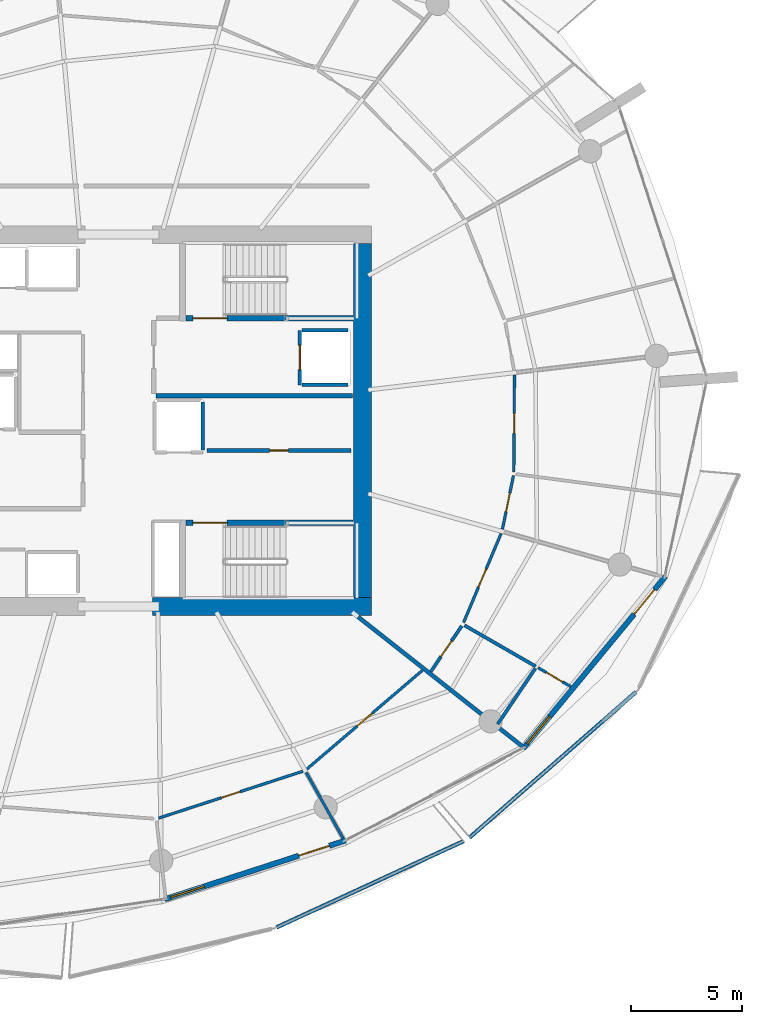
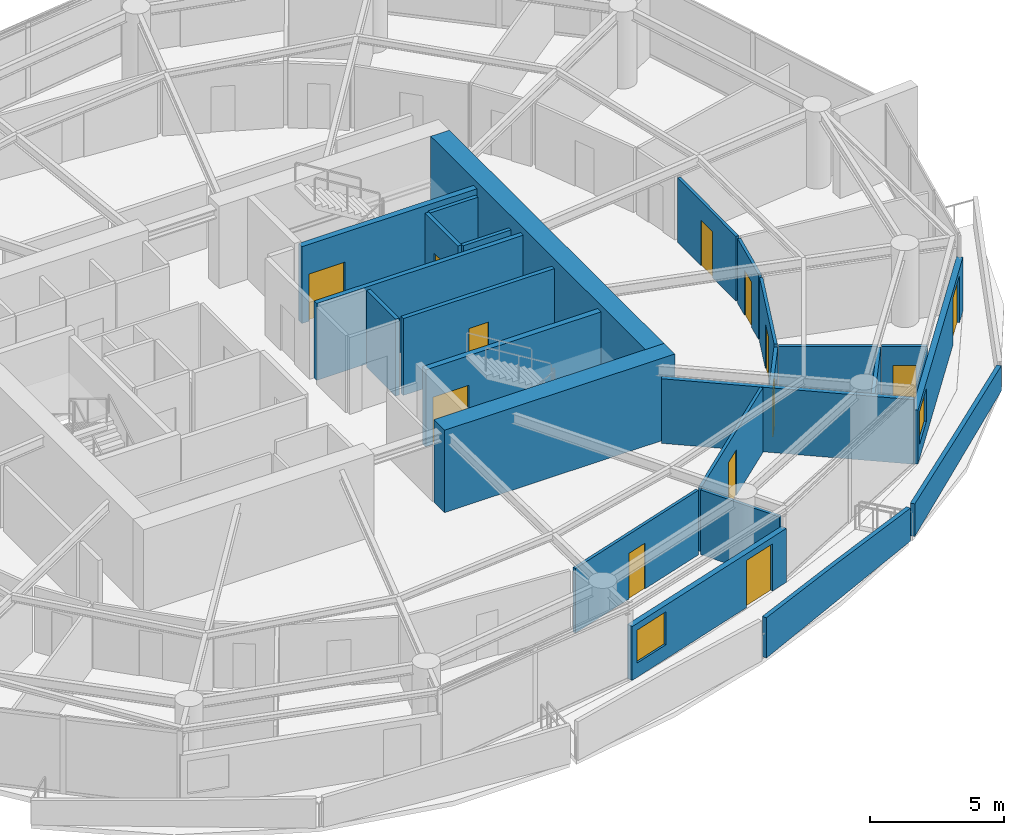
# One storey, part 13 of 20: 25 walls, 13 doors, 2 windows, 15 openings.
"""IFC4 building model written with IfcOpenShell, lengths in metres."""

from ifc_helpers import new_model, si_unit, direction, frame, frame_2d, origin, place, context, subcontext, project, spatial, polyline, rectangle, outline, extrude, material, layer, layer_set, type_object, element, fill, save


model = new_model("IFC4")

# Units and contexts
model_context = context("Model", 3, precision=1e-05, world=origin(), true_north=direction((0.0, 1.0)))
body_context = subcontext(model_context, "Body", "Model", "MODEL_VIEW")
ifc_project = project(units=[si_unit("LENGTHUNIT", "METRE"), si_unit("AREAUNIT", "SQUARE_METRE"), si_unit("VOLUMEUNIT", "CUBIC_METRE"), si_unit("PLANEANGLEUNIT", "RADIAN"), si_unit("MASSUNIT", "GRAM", prefix="KILO")], contexts=[model_context])

# Site, building, storey
site_placement = place(None, origin())
site = spatial("IfcSite", under=ifc_project, at=site_placement, CompositionType="ELEMENT")
building_placement = place(site_placement, origin())
building = spatial("IfcBuilding", under=site, at=building_placement, Name="Kazma Halo Residences", CompositionType="ELEMENT")
storey_placement = place(building_placement, frame((0.0, 0.0, 139.050048828125)))
storey = spatial("IfcBuildingStorey", under=building, at=storey_placement, Name="L34", CompositionType="ELEMENT", Elevation=139.050048828125)

# Walls
ifc_material_1 = material(Name="White Concrete C50/60 Balustrade", Category="concrete")
ifc_layer_1 = layer(ifc_material_1, 0.179931640625)
ifc_layer_set_1 = layer_set([ifc_layer_1], Name="White Concrete C50/60 Balustrade")
wall_type_1 = type_object("IfcWallType", Name="WL-BAL-WAVE-180", PredefinedType="PARAPET", material=ifc_layer_set_1)
wall_1_placement = place(storey_placement, frame((55.56494140625, 19.103271484375, 0.0), z_axis=(0.0, 0.0, 1.0), x_axis=(0.908087442579, 0.418780606799, 0.0)))
element("IfcWall", 1, at=wall_1_placement, inside=storey, type_object=wall_type_1, Name="L34 white wave balustrade wall SSE.2", PredefinedType="PARAPET", context=body_context, shape_type="SweptSolid", body=[
    extrude(outline(polyline([(0.0, 0.0), (9.3154296875, 0.0), (9.3154296875, 1.4970703125), (4.65771484375, 1.696044921875), (0.0, 1.83203125), (0.0, 0.0)])), frame((0.0, 0.08984375, 0.0), z_axis=(0.0, -1.0, 0.0), x_axis=(1.0, 0.0, 0.0)), (0.0, 0.0, 1.0), 0.179931640625),
])
wall_2_placement = place(storey_placement, frame((64.28759765625, 23.1640625, 0.0), z_axis=(0.0, 0.0, 1.0), x_axis=(0.752617556845, 0.658457905358, 0.0)))
element("IfcWall", 2, at=wall_2_placement, inside=storey, type_object=wall_type_1, Name="L34 white wave balustrade wall SE.1", PredefinedType="PARAPET", context=body_context, shape_type="SweptSolid", body=[
    extrude(outline(polyline([(0.0, 0.0), (9.99267578125, 0.0), (9.992919921875, 1.14794921875), (4.99658203125, 1.283935546875), (0.0, 1.48291015625), (0.0, 0.0)])), frame((0.0, 0.08984375, 0.0), z_axis=(0.0, -1.0, 0.0), x_axis=(1.0, 0.0, 0.0)), (0.0, 0.0, 1.0), 0.179931640625),
])
ifc_material_2 = material(Name="Concrete C80/95", Category="concrete")
ifc_layer_2 = layer(ifc_material_2, 0.800048828125)
ifc_layer_set_2 = layer_set([ifc_layer_2], Name="Concrete C80/95")
wall_type_2 = type_object("IfcWallType", Name="WL-CORE-800", PredefinedType="SHEAR", material=ifc_layer_set_2)
wall_3_placement = place(storey_placement, frame((49.949951171875, 33.60009765625, 0.0), z_axis=(0.0, 0.0, 1.0), x_axis=(1.0, 0.0, 0.0)))
element("IfcWall", 3, at=wall_3_placement, inside=storey, type_object=wall_type_2, Name="L34 central core shear wall SE", PredefinedType="SHEAR", context=body_context, shape_type="SweptSolid", body=[
    extrude(rectangle(XDim=9.900146484375, YDim=0.800048828125, at=frame_2d((4.9501953125, 0.0))), origin(), (0.0, 0.0, 1.0), 3.75),
])
wall_4_placement = place(storey_placement, frame((59.449951171875, 34.0, 0.0), z_axis=(0.0, 0.0, 1.0), x_axis=(0.0, 1.0, 0.0)))
element("IfcWall", 4, at=wall_4_placement, inside=storey, type_object=wall_type_2, Name="L34 central core shear wall E", PredefinedType="SHEAR", context=body_context, shape_type="SweptSolid", body=[
    extrude(rectangle(XDim=16.0, YDim=0.800048828125, at=frame_2d((8.0, 0.0))), origin(), (0.0, 0.0, 1.0), 3.75),
])
ifc_material_3 = material(Name="Acoustic Twin-Stud Gypsum")
ifc_layer_3 = layer(ifc_material_3, 0.179931640625)
ifc_layer_set_3 = layer_set([ifc_layer_3], Name="Acoustic Twin-Stud Gypsum")
wall_type_3 = type_object("IfcWallType", Name="WL-DEM-180", PredefinedType="PARTITIONING", material=ifc_layer_set_3)
wall_5_placement = place(storey_placement, frame((59.2490234375, 33.1318359375, 0.0), z_axis=(0.0, 0.0, 1.0), x_axis=(0.785334414621, -0.619071770647, 0.0)))
element("IfcWall", 5, at=wall_5_placement, inside=storey, type_object=wall_type_3, Name="L34 apartment demising radial wall 13", PredefinedType="PARTITIONING", context=body_context, shape_type="SweptSolid", body=[
    extrude(rectangle(XDim=9.51513671875, YDim=0.179931640625, at=frame_2d((4.757568359375, 0.0))), origin(), (0.0, 0.0, 1.0), 2.93994140625),
])

# Wall, openings, door, window
ifc_material_4 = material(Name="Insulated Pale-Metal Composite Wall")
ifc_layer_4 = layer(ifc_material_4, 0.239990234375)
ifc_layer_set_4 = layer_set([ifc_layer_4], Name="Insulated Pale-Metal Composite Wall")
wall_type_4 = type_object("IfcWallType", Name="WL-EXT-HOST-240", PredefinedType="SOLIDWALL", material=ifc_layer_set_4)
wall_6_placement = place(storey_placement, frame((50.510009765625, 20.375732421875, 0.0), z_axis=(0.0, 0.0, 1.0), x_axis=(0.951046390632, 0.309048156224, 0.0)))
wall_6 = element("IfcWall", 6, at=wall_6_placement, inside=storey, type_object=wall_type_4, Name="L34 exterior terrace-access wall B12", PredefinedType="SOLIDWALL", context=body_context, shape_type="SweptSolid", body=[
    extrude(rectangle(XDim=8.590087890625, YDim=0.239990234375, at=frame_2d((4.294921875, 0.0))), origin(), (0.0, 0.0, 1.0), 2.449951171875),
])
opening_1_placement = place(wall_6_placement, frame((6.370361328125, 0.0, 0.0)))
opening_1 = element("IfcOpeningElement", 7, at=opening_1_placement, cuts=wall_6, Name="Opening DTR-1600", PredefinedType="OPENING", context=body_context, shape_type="SweptSolid", body=[
    extrude(rectangle(XDim=1.449951171875, YDim=2.14990234375, at=frame_2d((0.72509765625, 1.074951171875))), frame((0.0, 0.1298828125, 0.0), z_axis=(0.0, -1.0, 0.0), x_axis=(1.0, 0.0, 0.0)), (0.0, 0.0, 1.0), 0.260009765625),
])
opening_2_placement = place(wall_6_placement, frame((0.280029296875, 0.0, 0.64990234375)))
opening_2 = element("IfcOpeningElement", 8, at=opening_2_placement, cuts=wall_6, Name="Opening W-1800", PredefinedType="OPENING", context=body_context, shape_type="SweptSolid", body=[
    extrude(rectangle(XDim=1.60009765625, YDim=1.5, at=frame_2d((0.800048828125, 0.75))), frame((0.0, 0.1298828125, 0.0), z_axis=(0.0, -1.0, 0.0), x_axis=(1.0, 0.0, 0.0)), (0.0, 0.0, 1.0), 0.260009765625),
])
ifc_material_5 = material(Name="Aluminium AW-6063 T6 Double-Glazed Terrace Door", Category="aluminium")
door_type_1 = type_object("IfcDoorType", Name="DR-EXT-TERR-1600", OperationType="NOTDEFINED", PredefinedType="DOOR", material=ifc_material_5)
door_1_placement = place(opening_1_placement, origin())
door_1 = element("IfcDoor", 9, at=door_1_placement, inside=storey, type_object=door_type_1, Name="L34 B12 balcony terrace door", OperationType="DOUBLE_DOOR_SLIDING", OverallHeight=2.14990234375, OverallWidth=1.449951171875, PredefinedType="DOOR", context=body_context, shape_type="SweptSolid", body=[
    extrude(rectangle(XDim=1.449951171875, YDim=2.14990234375, at=frame_2d((0.72509765625, 1.074951171875))), frame((0.0, 0.02490234375, 0.0), z_axis=(0.0, -1.0, 0.0), x_axis=(1.0, 0.0, 0.0)), (0.0, 0.0, 1.0), 0.050048828125),
])
fill(opening_1, door_1)
ifc_material_6 = material(Name="Clear Triple-Silver Low-E Glass in Aluminium AW-6063 T6 Frame", Category="aluminium")
window_type = type_object("IfcWindowType", Name="WIN-RES-1800", PartitioningType="DOUBLE_PANEL_VERTICAL", PredefinedType="WINDOW", material=ifc_material_6)
window_1_placement = place(opening_2_placement, origin())
window_1 = element("IfcWindow", 10, at=window_1_placement, inside=storey, type_object=window_type, Name="L34 B12 apartment window", OverallHeight=1.5, OverallWidth=1.60009765625, PartitioningType="SINGLE_PANEL", PredefinedType="WINDOW", context=body_context, shape_type="SweptSolid", body=[
    extrude(rectangle(XDim=1.60009765625, YDim=1.5, at=frame_2d((0.800048828125, 0.75))), frame((0.0, 0.030029296875, 0.0), z_axis=(0.0, -1.0, 0.0), x_axis=(1.0, 0.0, 0.0)), (0.0, 0.0, 1.0), 0.06005859375),
])
fill(opening_2, window_1)

wall_7_placement = place(storey_placement, frame((66.70947265625, 27.18701171875, 0.0), z_axis=(0.0, 0.0, 1.0), x_axis=(0.636771922292, 0.77105221547, 0.0)))
wall_7 = element("IfcWall", 11, at=wall_7_placement, inside=storey, type_object=wall_type_4, Name="L34 exterior terrace-access wall B14", PredefinedType="SOLIDWALL", context=body_context, shape_type="SweptSolid", body=[
    extrude(rectangle(XDim=10.08154296875, YDim=0.239990234375, at=frame_2d((5.040771484375, 0.0))), origin(), (0.0, 0.0, 1.0), 2.449951171875),
])
opening_3_placement = place(wall_7_placement, frame((7.861572265625, 0.0, 0.0)))
opening_3 = element("IfcOpeningElement", 12, at=opening_3_placement, cuts=wall_7, Name="Opening DTR-1600", PredefinedType="OPENING", context=body_context, shape_type="SweptSolid", body=[
    extrude(rectangle(XDim=1.449951171875, YDim=2.14990234375, at=frame_2d((0.72509765625, 1.074951171875))), frame((0.0, 0.1298828125, 0.0), z_axis=(0.0, -1.0, 0.0), x_axis=(1.0, 0.0, 0.0)), (0.0, 0.0, 1.0), 0.260009765625),
])
opening_4_placement = place(wall_7_placement, frame((0.280029296875, 0.0, 0.64990234375)))
opening_4 = element("IfcOpeningElement", 13, at=opening_4_placement, cuts=wall_7, Name="Opening W-1800", PredefinedType="OPENING", context=body_context, shape_type="SweptSolid", body=[
    extrude(rectangle(XDim=1.60009765625, YDim=1.5, at=frame_2d((0.800048828125, 0.75))), frame((0.0, 0.1298828125, 0.0), z_axis=(0.0, -1.0, 0.0), x_axis=(1.0, 0.0, 0.0)), (0.0, 0.0, 1.0), 0.260009765625),
])
door_2_placement = place(opening_3_placement, origin())
door_2 = element("IfcDoor", 14, at=door_2_placement, inside=storey, type_object=door_type_1, Name="L34 B14 balcony terrace door", OperationType="DOUBLE_DOOR_SLIDING", OverallHeight=2.14990234375, OverallWidth=1.449951171875, PredefinedType="DOOR", context=body_context, shape_type="SweptSolid", body=[
    extrude(rectangle(XDim=1.449951171875, YDim=2.14990234375, at=frame_2d((0.72509765625, 1.074951171875))), frame((0.0, 0.02490234375, 0.0), z_axis=(0.0, -1.0, 0.0), x_axis=(1.0, 0.0, 0.0)), (0.0, 0.0, 1.0), 0.050048828125),
])
fill(opening_3, door_2)
window_2_placement = place(opening_4_placement, origin())
window_2 = element("IfcWindow", 15, at=window_2_placement, inside=storey, type_object=window_type, Name="L34 B14 apartment window", OverallHeight=1.5, OverallWidth=1.60009765625, PartitioningType="SINGLE_PANEL", PredefinedType="WINDOW", context=body_context, shape_type="SweptSolid", body=[
    extrude(rectangle(XDim=1.60009765625, YDim=1.5, at=frame_2d((0.800048828125, 0.75))), frame((0.0, 0.030029296875, 0.0), z_axis=(0.0, -1.0, 0.0), x_axis=(1.0, 0.0, 0.0)), (0.0, 0.0, 1.0), 0.06005859375),
])
fill(opening_4, window_2)

# Wall, opening, door
ifc_material_7 = material(Name="Fire-Rated Blockwork Masonry", Category="masonry")
ifc_layer_5 = layer(ifc_material_7, 0.199951171875)
ifc_layer_set_5 = layer_set([ifc_layer_5], Name="Fire-Rated Blockwork Masonry")
wall_type_5 = type_object("IfcWallType", Name="WL-FLB-200", PredefinedType="PARTITIONING", material=ifc_layer_set_5)
wall_8_placement = place(storey_placement, frame((56.6201171875, 46.080078125, 0.0), z_axis=(0.0, 0.0, 1.0), x_axis=(0.0, -1.0, 0.0)))
wall_8 = element("IfcWall", 16, at=wall_8_placement, inside=storey, type_object=wall_type_5, Name="L34 lift shaft FL-02 front wall", PredefinedType="PARTITIONING", context=body_context, shape_type="SweptSolid", body=[
    extrude(rectangle(XDim=2.4599609375, YDim=0.159912109375, at=frame_2d((1.22998046875, 0.0))), origin(), (0.0, 0.0, 1.0), 3.5),
])
opening_5_placement = place(wall_8_placement, frame((0.679931640625, 0.0, 0.0)))
opening_5 = element("IfcOpeningElement", 17, at=opening_5_placement, cuts=wall_8, Name="Opening LD-FL-02", PredefinedType="OPENING", context=body_context, shape_type="SweptSolid", body=[
    extrude(rectangle(XDim=1.10009765625, YDim=2.10009765625, at=frame_2d((0.550048828125, 1.050048828125))), frame((0.0, 0.08984375, 0.0), z_axis=(0.0, -1.0, 0.0), x_axis=(1.0, 0.0, 0.0)), (0.0, 0.0, 1.0), 0.179931640625),
])
ifc_material_8 = material(Name="Stainless Steel Fire-Rated", Category="steel")
door_type_2 = type_object("IfcDoorType", Name="DR-LIFT-SLD-1100", OperationType="DOUBLE_DOOR_SLIDING", PredefinedType="DOOR", material=ifc_material_8)
door_3_placement = place(opening_5_placement, origin())
door_3 = element("IfcDoor", 18, at=door_3_placement, inside=storey, type_object=door_type_2, Name="L34 lift FL-02 sliding landing door", OperationType="DOUBLE_DOOR_SLIDING", OverallHeight=2.10009765625, OverallWidth=1.10009765625, PredefinedType="DOOR", context=body_context, shape_type="SweptSolid", body=[
    extrude(rectangle(XDim=1.10009765625, YDim=2.10009765625, at=frame_2d((0.550048828125, 1.050048828125))), frame((0.0, 0.02490234375, 0.0), z_axis=(0.0, -1.0, 0.0), x_axis=(1.0, 0.0, 0.0)), (0.0, 0.0, 1.0), 0.050048828125),
])
fill(opening_5, door_3)

# Walls
for number, where, z_axis, x_axis, name in (
    (19, (56.719970703125, 46.080078125, 0.0), (0.0, 0.0, 1.0), (1.0, 0.0, 0.0), "L34 lift shaft FL-02 side wall N"),
    (20, (56.719970703125, 43.6201171875, 0.0), (0.0, 0.0, 1.0), (1.0, 0.0, 0.0), "L34 lift shaft FL-02 side wall S"),
):
    element("IfcWall", number, at=place(storey_placement, frame(where, z_axis=z_axis, x_axis=x_axis)), inside=storey, type_object=wall_type_5, Name=name, PredefinedType="PARTITIONING", context=body_context, shape_type="SweptSolid", body=[
        extrude(rectangle(XDim=2.06005859375, YDim=0.159912109375, at=frame_2d((1.030029296875, 0.0))), origin(), (0.0, 0.0, 1.0), 3.5),
    ])
wall_9_placement = place(storey_placement, frame((52.22998046875, 40.669921875, 0.0), z_axis=(0.0, 0.0, 1.0), x_axis=(0.0, 1.0, 0.0)))
element("IfcWall", 21, at=wall_9_placement, inside=storey, type_object=wall_type_5, Name="L34 lift shaft SV-01 side wall E", PredefinedType="PARTITIONING", context=body_context, shape_type="SweptSolid", body=[
    extrude(rectangle(XDim=2.16015625, YDim=0.159912109375, at=frame_2d((1.080078125, 0.0))), origin(), (0.0, 0.0, 1.0), 3.5),
])

# Wall, opening, door
wall_10_placement = place(storey_placement, frame((52.419921875, 40.64990234375, 0.0), z_axis=(0.0, 0.0, 1.0), x_axis=(1.0, 0.0, 0.0)))
wall_10 = element("IfcWall", 22, at=wall_10_placement, inside=storey, type_object=wall_type_5, Name="L34 core east reserve wall", PredefinedType="PARTITIONING", context=body_context, shape_type="SweptSolid", body=[
    extrude(rectangle(XDim=6.5, YDim=0.179931640625, at=frame_2d((3.25, 0.0))), origin(), (0.0, 0.0, 1.0), 3.5),
])
opening_6_placement = place(wall_10_placement, frame((2.824951171875, 0.0, 0.0)))
opening_6 = element("IfcOpeningElement", 23, at=opening_6_placement, cuts=wall_10, Name="Opening DS-850", PredefinedType="OPENING", context=body_context, shape_type="SweptSolid", body=[
    extrude(rectangle(XDim=0.85009765625, YDim=2.06005859375, at=frame_2d((0.425048828125, 1.030029296875))), frame((0.0, 0.099853515625, 0.0), z_axis=(0.0, -1.0, 0.0), x_axis=(1.0, 0.0, 0.0)), (0.0, 0.0, 1.0), 0.199951171875),
])
ifc_material_9 = material(Name="Painted Steel Access Leaf", Category="steel")
door_type_3 = type_object("IfcDoorType", Name="DR-SVC-850", OperationType="NOTDEFINED", PredefinedType="DOOR", material=ifc_material_9)
door_4_placement = place(opening_6_placement, origin())
door_4 = element("IfcDoor", 24, at=door_4_placement, inside=storey, type_object=door_type_3, Name="L34 core east reserve door", OperationType="SINGLE_SWING_LEFT", OverallHeight=2.06005859375, OverallWidth=0.85009765625, PredefinedType="DOOR", context=body_context, shape_type="SweptSolid", body=[
    extrude(rectangle(XDim=0.85009765625, YDim=2.06005859375, at=frame_2d((0.425048828125, 1.030029296875))), frame((0.0, 0.02490234375, 0.0), z_axis=(0.0, -1.0, 0.0), x_axis=(1.0, 0.0, 0.0)), (0.0, 0.0, 1.0), 0.050048828125),
])
fill(opening_6, door_4)

# Wall
wall_11_placement = place(storey_placement, frame((50.1201171875, 43.1201171875, 0.0), z_axis=(0.0, 0.0, 1.0), x_axis=(1.0, 0.0, 0.0)))
element("IfcWall", 25, at=wall_11_placement, inside=storey, type_object=wall_type_5, Name="L34 east firefighting lobby south smoke wall", PredefinedType="PARTITIONING", context=body_context, shape_type="SweptSolid", body=[
    extrude(rectangle(XDim=8.8798828125, YDim=0.199951171875, at=frame_2d((4.43994140625, 0.0))), origin(), (0.0, 0.0, 1.0), 3.5),
])

# Wall, opening, door
ifc_material_10 = material(Name="Gypsum Plasterboard Partition")
ifc_layer_6 = layer(ifc_material_10, 0.125)
ifc_layer_set_6 = layer_set([ifc_layer_6], Name="Gypsum Plasterboard Partition")
wall_type_6 = type_object("IfcWallType", Name="WL-PART-125", PredefinedType="PARTITIONING", material=ifc_layer_set_6)
wall_12_placement = place(storey_placement, frame((50.234375, 24.04052734375, 0.0), z_axis=(0.0, 0.0, 1.0), x_axis=(0.951054759124, 0.309022402339, 0.0)))
wall_12 = element("IfcWall", 26, at=wall_12_placement, inside=storey, type_object=wall_type_6, Name="L34 Apartment 1 Corner Formal Dining Room gallery wall", PredefinedType="PARTITIONING", context=body_context, shape_type="SweptSolid", body=[
    extrude(rectangle(XDim=6.849609375, YDim=0.125, at=frame_2d((3.4248046875, 0.0))), origin(), (0.0, 0.0, 1.0), 2.93994140625),
])
opening_7_placement = place(wall_12_placement, frame((2.974853515625, 0.0, 0.0)))
opening_7 = element("IfcOpeningElement", 27, at=opening_7_placement, cuts=wall_12, Name="Opening DI-950", PredefinedType="OPENING", context=body_context, shape_type="SweptSolid", body=[
    extrude(rectangle(XDim=0.89990234375, YDim=2.080078125, at=frame_2d((0.449951171875, 1.0400390625))), frame((0.0, 0.072509765625, 0.0), z_axis=(0.0, -1.0, 0.0), x_axis=(1.0, 0.0, 0.0)), (0.0, 0.0, 1.0), 0.14501953125),
])
ifc_material_11 = material(Name="Timber Veneer Flush Leaf", Category="wood")
door_type_4 = type_object("IfcDoorType", Name="DR-INT-950", OperationType="NOTDEFINED", PredefinedType="DOOR", material=ifc_material_11)
door_5_placement = place(opening_7_placement, origin())
door_5 = element("IfcDoor", 28, at=door_5_placement, inside=storey, type_object=door_type_4, Name="L34 Apartment 1 Corner Formal Dining Room door", OperationType="SINGLE_SWING_RIGHT", OverallHeight=2.080078125, OverallWidth=0.89990234375, PredefinedType="DOOR", context=body_context, shape_type="SweptSolid", body=[
    extrude(rectangle(XDim=0.89990234375, YDim=2.080078125, at=frame_2d((0.449951171875, 1.0400390625))), frame((0.0, 0.02490234375, 0.0), z_axis=(0.0, -1.0, 0.0), x_axis=(1.0, 0.0, 0.0)), (0.0, 0.0, 1.0), 0.050048828125),
])
fill(opening_7, door_5)

# Wall
wall_13_placement = place(storey_placement, frame((56.902099609375, 26.10400390625, 0.0), z_axis=(0.0, 0.0, 1.0), x_axis=(0.48863819443, -0.872486512758, 0.0)))
element("IfcWall", 29, at=wall_13_placement, inside=storey, type_object=wall_type_6, Name="L34 Apartment 1 radial partition 12", PredefinedType="PARTITIONING", context=body_context, shape_type="SweptSolid", body=[
    extrude(rectangle(XDim=3.41552734375, YDim=0.125, at=frame_2d((1.707763671875, 0.0))), origin(), (0.0, 0.0, 1.0), 2.93994140625),
])

# Wall, opening, door
wall_14_placement = place(storey_placement, frame((56.93701171875, 26.2626953125, 0.0), z_axis=(0.0, 0.0, 1.0), x_axis=(0.760405214762, 0.649448927448, 0.0)))
wall_14 = element("IfcWall", 30, at=wall_14_placement, inside=storey, type_object=wall_type_6, Name="L34 Apartment 1 Garden Master Bedroom gallery wall", PredefinedType="PARTITIONING", context=body_context, shape_type="SweptSolid", body=[
    extrude(rectangle(XDim=6.849609375, YDim=0.125, at=frame_2d((3.4248046875, 0.0))), origin(), (0.0, 0.0, 1.0), 2.93994140625),
])
opening_8_placement = place(wall_14_placement, frame((2.974853515625, 0.0, 0.0)))
opening_8 = element("IfcOpeningElement", 31, at=opening_8_placement, cuts=wall_14, Name="Opening DI-950", PredefinedType="OPENING", context=body_context, shape_type="SweptSolid", body=[
    extrude(rectangle(XDim=0.89990234375, YDim=2.080078125, at=frame_2d((0.449951171875, 1.0400390625))), frame((0.0, 0.072509765625, 0.0), z_axis=(0.0, -1.0, 0.0), x_axis=(1.0, 0.0, 0.0)), (0.0, 0.0, 1.0), 0.14501953125),
])
door_6_placement = place(opening_8_placement, origin())
door_6 = element("IfcDoor", 32, at=door_6_placement, inside=storey, type_object=door_type_4, Name="L34 Apartment 1 Garden Master Bedroom door", OperationType="SINGLE_SWING_LEFT", OverallHeight=2.080078125, OverallWidth=0.89990234375, PredefinedType="DOOR", context=body_context, shape_type="SweptSolid", body=[
    extrude(rectangle(XDim=0.89990234375, YDim=2.080078125, at=frame_2d((0.449951171875, 1.0400390625))), frame((0.0, 0.02490234375, 0.0), z_axis=(0.0, -1.0, 0.0), x_axis=(1.0, 0.0, 0.0)), (0.0, 0.0, 1.0), 0.050048828125),
])
fill(opening_8, door_6)

wall_15_placement = place(storey_placement, frame((67.381591796875, 30.833740234375, 0.0), z_axis=(0.0, 0.0, 1.0), x_axis=(0.86648352592, -0.499205668347, 0.0)))
wall_15 = element("IfcWall", 33, at=wall_15_placement, inside=storey, type_object=wall_type_6, Name="L34 Apartment 2 Utility Laundry Room partition wall", PredefinedType="PARTITIONING", context=body_context, shape_type="SweptSolid", body=[
    extrude(rectangle(XDim=1.704345703125, YDim=0.125, at=frame_2d((0.85205078125, 0.0))), origin(), (0.0, 0.0, 1.0), 2.93994140625),
])
opening_9_placement = place(wall_15_placement, frame((0.42724609375, 0.0, 0.0)))
opening_9 = element("IfcOpeningElement", 34, at=opening_9_placement, cuts=wall_15, Name="Opening DB-900", PredefinedType="OPENING", context=body_context, shape_type="SweptSolid", body=[
    extrude(rectangle(XDim=0.85009765625, YDim=2.06005859375, at=frame_2d((0.425048828125, 1.030029296875))), frame((0.0, 0.072509765625, 0.0), z_axis=(0.0, -1.0, 0.0), x_axis=(1.0, 0.0, 0.0)), (0.0, 0.0, 1.0), 0.14501953125),
])
ifc_material_12 = material(Name="Moisture-Sealed Timber Leaf", Category="wood")
door_type_5 = type_object("IfcDoorType", Name="DR-BTH-900", OperationType="NOTDEFINED", PredefinedType="DOOR", material=ifc_material_12)
door_7_placement = place(opening_9_placement, origin())
door_7 = element("IfcDoor", 35, at=door_7_placement, inside=storey, type_object=door_type_5, Name="L34 Apartment 2 Utility Laundry Room door", OperationType="SINGLE_SWING_LEFT", OverallHeight=2.06005859375, OverallWidth=0.85009765625, PredefinedType="DOOR", context=body_context, shape_type="SweptSolid", body=[
    extrude(rectangle(XDim=0.85009765625, YDim=2.06005859375, at=frame_2d((0.425048828125, 1.030029296875))), frame((0.0, 0.02490234375, 0.0), z_axis=(0.0, -1.0, 0.0), x_axis=(1.0, 0.0, 0.0)), (0.0, 0.0, 1.0), 0.050048828125),
])
fill(opening_9, door_7)

wall_16_placement = place(storey_placement, frame((64.011962890625, 32.8779296875, 0.0), z_axis=(0.0, 0.0, 1.0), x_axis=(0.388339376999, 0.92151642865, 0.0)))
wall_16 = element("IfcWall", 36, at=wall_16_placement, inside=storey, type_object=wall_type_6, Name="L34 Apartment 2 Gourmet Kitchen hall wall", PredefinedType="PARTITIONING", context=body_context, shape_type="SweptSolid", body=[
    extrude(rectangle(XDim=4.367431640625, YDim=0.125, at=frame_2d((2.18359375, 0.0))), origin(), (0.0, 0.0, 1.0), 2.93994140625),
])
opening_10_placement = place(wall_16_placement, frame((1.733642578125, 0.0, 0.0)))
opening_10 = element("IfcOpeningElement", 37, at=opening_10_placement, cuts=wall_16, Name="Opening DI-950", PredefinedType="OPENING", context=body_context, shape_type="SweptSolid", body=[
    extrude(rectangle(XDim=0.89990234375, YDim=2.080078125, at=frame_2d((0.449951171875, 1.0400390625))), frame((0.0, 0.072509765625, 0.0), z_axis=(0.0, -1.0, 0.0), x_axis=(1.0, 0.0, 0.0)), (0.0, 0.0, 1.0), 0.14501953125),
])
door_8_placement = place(opening_10_placement, origin())
door_8 = element("IfcDoor", 38, at=door_8_placement, inside=storey, type_object=door_type_4, Name="L34 Apartment 2 Gourmet Kitchen door", OperationType="SINGLE_SWING_RIGHT", OverallHeight=2.080078125, OverallWidth=0.89990234375, PredefinedType="DOOR", context=body_context, shape_type="SweptSolid", body=[
    extrude(rectangle(XDim=0.89990234375, YDim=2.080078125, at=frame_2d((0.449951171875, 1.0400390625))), frame((0.0, 0.02490234375, 0.0), z_axis=(0.0, -1.0, 0.0), x_axis=(1.0, 0.0, 0.0)), (0.0, 0.0, 1.0), 0.050048828125),
])
fill(opening_10, door_8)

wall_17_placement = place(storey_placement, frame((65.766845703125, 37.0927734375, 0.0), z_axis=(0.0, 0.0, 1.0), x_axis=(0.201424690473, 0.97950400411, 0.0)))
wall_17 = element("IfcWall", 39, at=wall_17_placement, inside=storey, type_object=wall_type_6, Name="L34 Apartment 2 Primary Dressing Wardrobe hall wall", PredefinedType="PARTITIONING", context=body_context, shape_type="SweptSolid", body=[
    extrude(rectangle(XDim=2.47509765625, YDim=0.125, at=frame_2d((1.237548828125, 0.0))), origin(), (0.0, 0.0, 1.0), 2.93994140625),
])
opening_11_placement = place(wall_17_placement, frame((0.8125, 0.0, 0.0)))
opening_11 = element("IfcOpeningElement", 40, at=opening_11_placement, cuts=wall_17, Name="Opening DB-900", PredefinedType="OPENING", context=body_context, shape_type="SweptSolid", body=[
    extrude(rectangle(XDim=0.85009765625, YDim=2.06005859375, at=frame_2d((0.425048828125, 1.030029296875))), frame((0.0, 0.072509765625, 0.0), z_axis=(0.0, -1.0, 0.0), x_axis=(1.0, 0.0, 0.0)), (0.0, 0.0, 1.0), 0.14501953125),
])
door_9_placement = place(opening_11_placement, origin())
door_9 = element("IfcDoor", 41, at=door_9_placement, inside=storey, type_object=door_type_5, Name="L34 Apartment 2 Primary Dressing Wardrobe door", OperationType="SINGLE_SWING_LEFT", OverallHeight=2.06005859375, OverallWidth=0.85009765625, PredefinedType="DOOR", context=body_context, shape_type="SweptSolid", body=[
    extrude(rectangle(XDim=0.85009765625, YDim=2.06005859375, at=frame_2d((0.425048828125, 1.030029296875))), frame((0.0, 0.02490234375, 0.0), z_axis=(0.0, -1.0, 0.0), x_axis=(1.0, 0.0, 0.0)), (0.0, 0.0, 1.0), 0.050048828125),
])
fill(opening_11, door_9)

wall_18_placement = place(storey_placement, frame((66.281982421875, 39.675537109375, 0.0), z_axis=(0.0, 0.0, 1.0), x_axis=(0.006503837091, 0.999978849828, 0.0)))
wall_18 = element("IfcWall", 42, at=wall_18_placement, inside=storey, type_object=wall_type_6, Name="L34 Apartment 2 Secondary Master Bedroom hall wall", PredefinedType="PARTITIONING", context=body_context, shape_type="SweptSolid", body=[
    extrude(rectangle(XDim=4.391845703125, YDim=0.125, at=frame_2d((2.19580078125, 0.0))), origin(), (0.0, 0.0, 1.0), 2.93994140625),
])
opening_12_placement = place(wall_18_placement, frame((1.745849609375, 0.0, 0.0)))
opening_12 = element("IfcOpeningElement", 43, at=opening_12_placement, cuts=wall_18, Name="Opening DI-950", PredefinedType="OPENING", context=body_context, shape_type="SweptSolid", body=[
    extrude(rectangle(XDim=0.89990234375, YDim=2.080078125, at=frame_2d((0.449951171875, 1.0400390625))), frame((0.0, 0.072509765625, 0.0), z_axis=(0.0, -1.0, 0.0), x_axis=(1.0, 0.0, 0.0)), (0.0, 0.0, 1.0), 0.14501953125),
])
door_10_placement = place(opening_12_placement, origin())
door_10 = element("IfcDoor", 44, at=door_10_placement, inside=storey, type_object=door_type_4, Name="L34 Apartment 2 Secondary Master Bedroom door", OperationType="SINGLE_SWING_RIGHT", OverallHeight=2.080078125, OverallWidth=0.89990234375, PredefinedType="DOOR", context=body_context, shape_type="SweptSolid", body=[
    extrude(rectangle(XDim=0.89990234375, YDim=2.080078125, at=frame_2d((0.449951171875, 1.0400390625))), frame((0.0, 0.02490234375, 0.0), z_axis=(0.0, -1.0, 0.0), x_axis=(1.0, 0.0, 0.0)), (0.0, 0.0, 1.0), 0.050048828125),
])
fill(opening_12, door_10)

ifc_material_13 = material(Name="Concrete C50/60", Category="concrete")
ifc_layer_7 = layer(ifc_material_13, 0.25)
ifc_layer_set_7 = layer_set([ifc_layer_7], Name="Concrete C50/60")
wall_type_7 = type_object("IfcWallType", Name="WL-SHF-250", PredefinedType="SOLIDWALL", material=ifc_layer_set_7)
wall_19_placement = place(storey_placement, frame((51.47998046875, 46.6201171875, 0.0), z_axis=(0.0, 0.0, 1.0), x_axis=(1.0, 0.0, 0.0)))
wall_19 = element("IfcWall", 45, at=wall_19_placement, inside=storey, type_object=wall_type_7, Name="L34 exit stair ST-02 enclosure wall", PredefinedType="SOLIDWALL", context=body_context, shape_type="SweptSolid", body=[
    extrude(rectangle(XDim=7.5400390625, YDim=0.25, at=frame_2d((3.77001953125, 0.0))), origin(), (0.0, 0.0, 1.0), 3.5),
])
opening_13_placement = place(wall_19_placement, frame((0.300048828125, 0.0, 0.0)))
opening_13 = element("IfcOpeningElement", 46, at=opening_13_placement, cuts=wall_19, Name="Opening D-ST2", PredefinedType="OPENING", context=body_context, shape_type="SweptSolid", body=[
    extrude(rectangle(XDim=1.550048828125, YDim=2.14990234375, at=frame_2d((0.77490234375, 1.074951171875))), frame((0.0, 0.135009765625, 0.0), z_axis=(0.0, -1.0, 0.0), x_axis=(1.0, 0.0, 0.0)), (0.0, 0.0, 1.0), 0.27001953125),
])
ifc_material_14 = material(Name="Fire-Rated Double Steel Leaf", Category="steel")
door_type_6 = type_object("IfcDoorType", Name="DR-FD90-1550", OperationType="NOTDEFINED", PredefinedType="DOOR", material=ifc_material_14)
door_11_placement = place(opening_13_placement, origin())
door_11 = element("IfcDoor", 47, at=door_11_placement, inside=storey, type_object=door_type_6, Name="L34 exit stair ST-02 fire door", OperationType="DOUBLE_DOOR_SINGLE_SWING", OverallHeight=2.14990234375, OverallWidth=1.550048828125, PredefinedType="DOOR", context=body_context, shape_type="SweptSolid", body=[
    extrude(rectangle(XDim=1.550048828125, YDim=2.14990234375, at=frame_2d((0.77490234375, 1.074951171875))), frame((0.0, 0.02490234375, 0.0), z_axis=(0.0, -1.0, 0.0), x_axis=(1.0, 0.0, 0.0)), (0.0, 0.0, 1.0), 0.050048828125),
])
fill(opening_13, door_11)

wall_20_placement = place(storey_placement, frame((51.47998046875, 37.3798828125, 0.0), z_axis=(0.0, 0.0, 1.0), x_axis=(1.0, 0.0, 0.0)))
wall_20 = element("IfcWall", 48, at=wall_20_placement, inside=storey, type_object=wall_type_7, Name="L34 exit stair ST-03 enclosure wall", PredefinedType="SOLIDWALL", context=body_context, shape_type="SweptSolid", body=[
    extrude(rectangle(XDim=7.5400390625, YDim=0.25, at=frame_2d((3.77001953125, 0.0))), origin(), (0.0, 0.0, 1.0), 3.5),
])
opening_14_placement = place(wall_20_placement, frame((0.300048828125, 0.0, 0.0)))
opening_14 = element("IfcOpeningElement", 49, at=opening_14_placement, cuts=wall_20, Name="Opening D-ST3", PredefinedType="OPENING", context=body_context, shape_type="SweptSolid", body=[
    extrude(rectangle(XDim=1.550048828125, YDim=2.14990234375, at=frame_2d((0.77490234375, 1.074951171875))), frame((0.0, 0.135009765625, 0.0), z_axis=(0.0, -1.0, 0.0), x_axis=(1.0, 0.0, 0.0)), (0.0, 0.0, 1.0), 0.27001953125),
])
door_12_placement = place(opening_14_placement, origin())
door_12 = element("IfcDoor", 50, at=door_12_placement, inside=storey, type_object=door_type_6, Name="L34 exit stair ST-03 fire door", OperationType="DOUBLE_DOOR_SINGLE_SWING", OverallHeight=2.14990234375, OverallWidth=1.550048828125, PredefinedType="DOOR", context=body_context, shape_type="SweptSolid", body=[
    extrude(rectangle(XDim=1.550048828125, YDim=2.14990234375, at=frame_2d((0.77490234375, 1.074951171875))), frame((0.0, 0.02490234375, 0.0), z_axis=(0.0, -1.0, 0.0), x_axis=(1.0, 0.0, 0.0)), (0.0, 0.0, 1.0), 0.050048828125),
])
fill(opening_14, door_12)

ifc_material_15 = material(Name="Moisture-Resistant Gypsum")
ifc_layer_8 = layer(ifc_material_15, 0.14990234375)
ifc_layer_set_8 = layer_set([ifc_layer_8], Name="Moisture-Resistant Gypsum")
wall_type_8 = type_object("IfcWallType", Name="WL-WET-150", PredefinedType="PARTITIONING", material=ifc_layer_set_8)
wall_21_placement = place(storey_placement, frame((62.53662109375, 30.667236328125, 0.0), z_axis=(0.0, 0.0, 1.0), x_axis=(0.560525899463, 0.828136894499, 0.0)))
wall_21 = element("IfcWall", 51, at=wall_21_placement, inside=storey, type_object=wall_type_8, Name="L34 Apartment 2 Guest Bathroom hall wall", PredefinedType="PARTITIONING", context=body_context, shape_type="SweptSolid", body=[
    extrude(rectangle(XDim=2.479736328125, YDim=0.14990234375, at=frame_2d((1.23974609375, 0.0))), origin(), (0.0, 0.0, 1.0), 2.93994140625),
])
opening_15_placement = place(wall_21_placement, frame((0.814697265625, 0.0, 0.0)))
opening_15 = element("IfcOpeningElement", 52, at=opening_15_placement, cuts=wall_21, Name="Opening DB-900", PredefinedType="OPENING", context=body_context, shape_type="SweptSolid", body=[
    extrude(rectangle(XDim=0.85009765625, YDim=2.06005859375, at=frame_2d((0.425048828125, 1.030029296875))), frame((0.0, 0.0849609375, 0.0), z_axis=(0.0, -1.0, 0.0), x_axis=(1.0, 0.0, 0.0)), (0.0, 0.0, 1.0), 0.169921875),
])
door_13_placement = place(opening_15_placement, origin())
door_13 = element("IfcDoor", 53, at=door_13_placement, inside=storey, type_object=door_type_5, Name="L34 Apartment 2 Guest Bathroom door", OperationType="SINGLE_SWING_RIGHT", OverallHeight=2.06005859375, OverallWidth=0.85009765625, PredefinedType="DOOR", context=body_context, shape_type="SweptSolid", body=[
    extrude(rectangle(XDim=0.85009765625, YDim=2.06005859375, at=frame_2d((0.425048828125, 1.030029296875))), frame((0.0, 0.02490234375, 0.0), z_axis=(0.0, -1.0, 0.0), x_axis=(1.0, 0.0, 0.0)), (0.0, 0.0, 1.0), 0.050048828125),
])
fill(opening_15, door_13)

# Walls
wall_22_placement = place(storey_placement, frame((65.551513671875, 28.29052734375, 0.0), z_axis=(0.0, 0.0, 1.0), x_axis=(0.560533316815, 0.828131874003, 0.0)))
element("IfcWall", 54, at=wall_22_placement, inside=storey, type_object=wall_type_8, Name="L34 Apartment 2 Guest Bathroom back wall", PredefinedType="PARTITIONING", context=body_context, shape_type="SweptSolid", body=[
    extrude(rectangle(XDim=3.035400390625, YDim=0.14990234375, at=frame_2d((1.517578125, 0.0))), origin(), (0.0, 0.0, 1.0), 2.93994140625),
])
wall_23_placement = place(storey_placement, frame((64.05517578125, 32.750244140625, 0.0), z_axis=(0.0, 0.0, 1.0), x_axis=(0.866471470723, -0.499226592263, 0.0)))
element("IfcWall", 55, at=wall_23_placement, inside=storey, type_object=wall_type_8, Name="L34 Apartment 2 Guest Bathroom side wall", PredefinedType="PARTITIONING", context=body_context, shape_type="SweptSolid", body=[
    extrude(rectangle(XDim=3.708740234375, YDim=0.14990234375, at=frame_2d((1.8544921875, 0.0))), origin(), (0.0, 0.0, 1.0), 2.93994140625),
])

save(model, "model.ifc")
